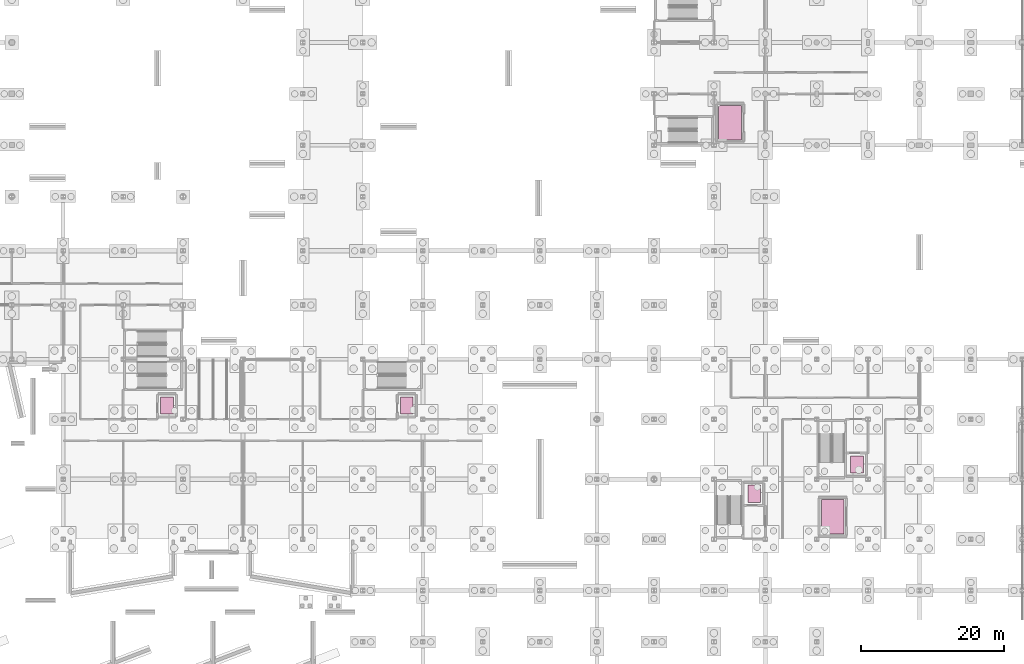
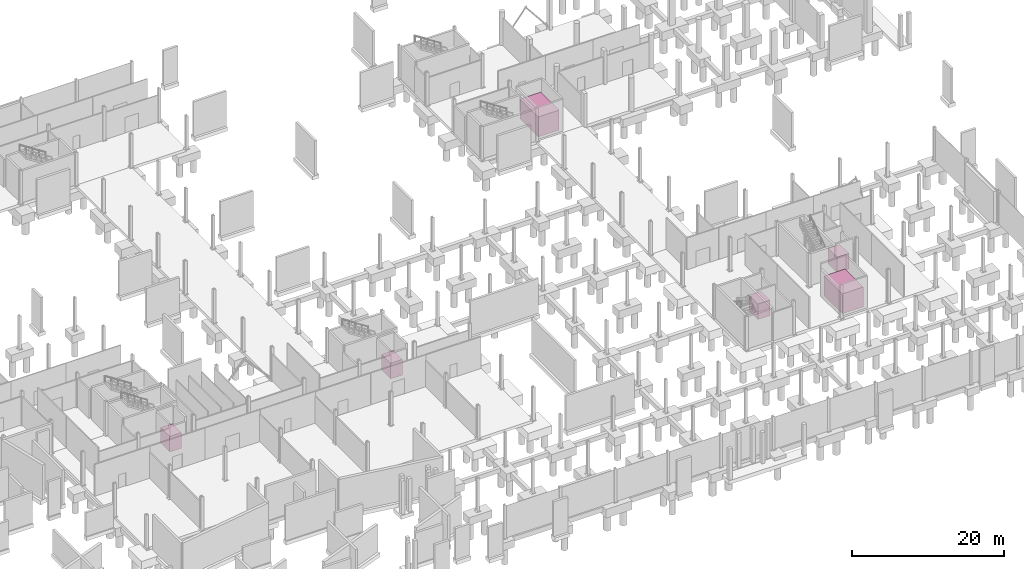
# One storey, part 61 of 61: 6 transport elements.
"""IFC4 building model written with IfcOpenShell, lengths in metres."""

from ifc_helpers import new_model, si_unit, direction, frame, origin, origin_2d, place, context, subcontext, project, spatial, rectangle, extrude, material, type_object, element, save


model = new_model("IFC4")

# Units and contexts
model_context = context("Model", 3, precision=1e-05, world=origin(), true_north=direction((0.0, 1.0)))
body_context = subcontext(model_context, "Body", "Model", "MODEL_VIEW")
ifc_project = project(units=[si_unit("LENGTHUNIT", "METRE"), si_unit("AREAUNIT", "SQUARE_METRE"), si_unit("VOLUMEUNIT", "CUBIC_METRE"), si_unit("PLANEANGLEUNIT", "RADIAN"), si_unit("MASSUNIT", "GRAM", prefix="KILO")], contexts=[model_context])

# Site, building, storey
site_placement = place(None, origin())
site = spatial("IfcSite", under=ifc_project, at=site_placement, CompositionType="ELEMENT")
building_placement = place(site_placement, origin())
building = spatial("IfcBuilding", under=site, at=building_placement, Name="Calvrana Isthmian Art Gallery", CompositionType="ELEMENT")
storey_placement = place(building_placement, frame((0.0, 0.0, -5.39990234375)))
storey = spatial("IfcBuildingStorey", under=building, at=storey_placement, Name="B1", CompositionType="ELEMENT", Elevation=-5.39990234375)

# Transport elements
ifc_material = material(Name="Stainless steel 316", Category="steel")
transport_element_type_1 = type_object("IfcTransportElementType", Name="LFT-GOODS-3200X4800", PredefinedType="ELEVATOR", material=ifc_material)
for number, where, z_axis, x_axis, name in (
    (1, (115.050048828125, 79.949951171875, 0.0), (0.0, 0.0, 1.0), (1.0, 0.0, 0.0), "Freight Goods Lift L-G2"),
    (2, (129.449951171875, 24.75, 0.0), (0.0, 0.0, 1.0), (1.0, 0.0, 0.0), "Art Goods Lift L-G1"),
):
    element("IfcTransportElement", number, at=place(storey_placement, frame(where, z_axis=z_axis, x_axis=x_axis)), inside=storey, type_object=transport_element_type_1, Name=name, PredefinedType="ELEVATOR", context=body_context, shape_type="SweptSolid", body=[
        extrude(rectangle(XDim=3.199951171875, YDim=4.800048828125, at=origin_2d()), origin(), (0.0, 0.0, 1.0), 3.199951171875),
    ])
transport_element_type_2 = type_object("IfcTransportElementType", Name="LFT-PASS-1800X2400", PredefinedType="ELEVATOR", material=ifc_material)
for number, where, z_axis, x_axis, name in (
    (3, (36.14990234375, 40.35009765625, 0.0), (0.0, 0.0, 1.0), (1.0, 0.0, 0.0), "Firefighting lift EL-01"),
    (4, (69.75, 40.35009765625, 0.0), (0.0, 0.0, 1.0), (1.0, 0.0, 0.0), "Firefighting lift EL-02"),
    (5, (118.449951171875, 27.949951171875, 0.0), (0.0, 0.0, 1.0), (1.0, 0.0, 0.0), "Passenger stretcher lift EL-03"),
    (6, (132.85009765625, 32.050048828125, 0.0), (0.0, 0.0, 1.0), (1.0, 0.0, 0.0), "Passenger stretcher lift EL-04"),
):
    element("IfcTransportElement", number, at=place(storey_placement, frame(where, z_axis=z_axis, x_axis=x_axis)), inside=storey, type_object=transport_element_type_2, Name=name, PredefinedType="ELEVATOR", context=body_context, shape_type="SweptSolid", body=[
        extrude(rectangle(XDim=1.800048828125, YDim=2.39990234375, at=origin_2d()), origin(), (0.0, 0.0, 1.0), 2.5),
    ])

save(model, "model.ifc")
